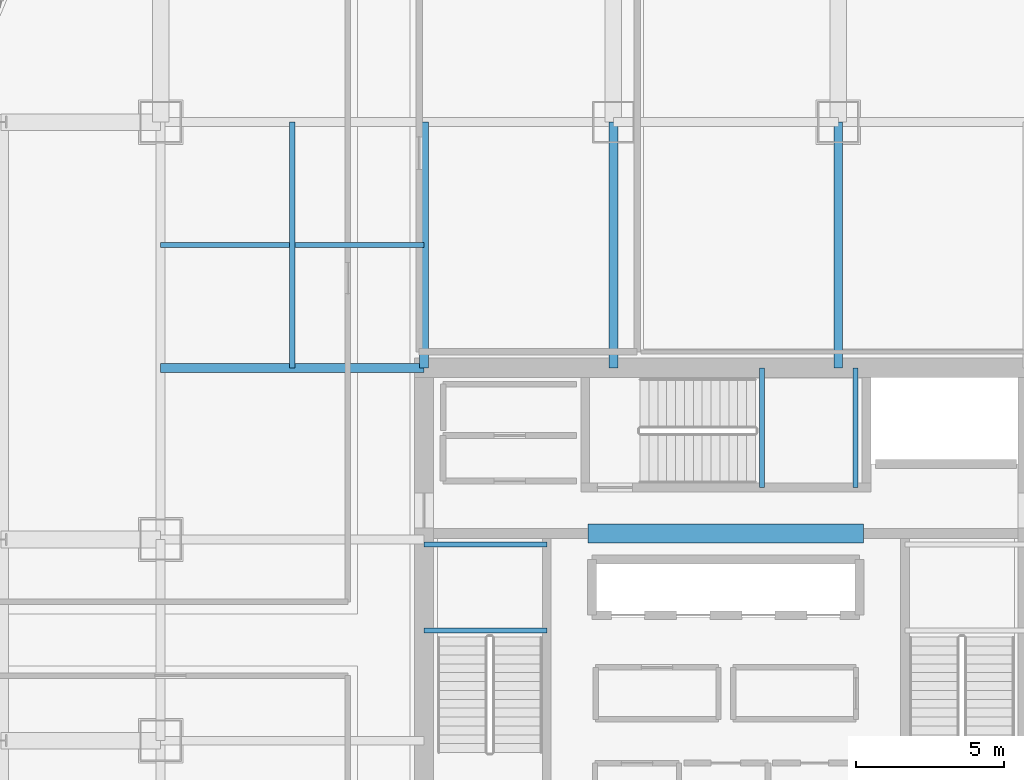
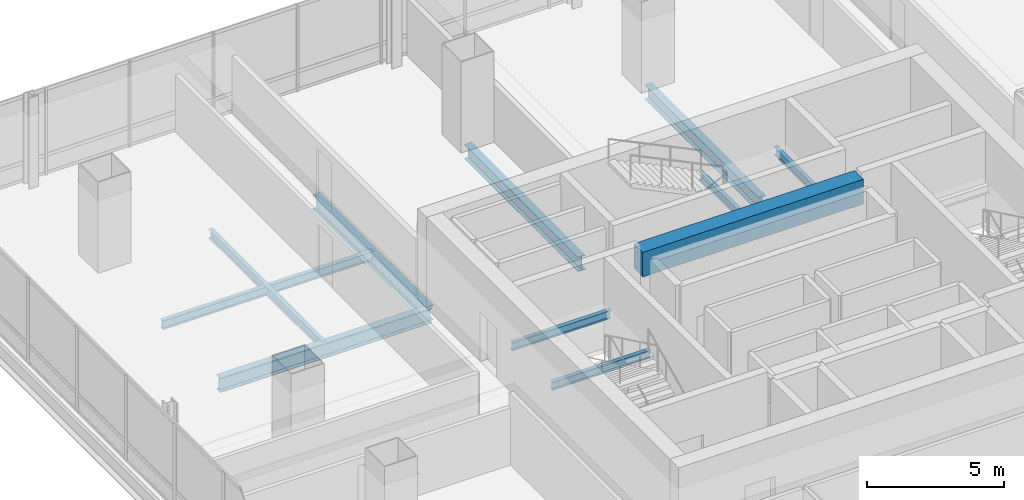
# One storey, part 13 of 37: 11 beams.
"""IFC4 building model written with IfcOpenShell, lengths in metres."""

from ifc_helpers import new_model, si_unit, direction, frame, origin, origin_2d, place, context, subcontext, project, spatial, rectangle, i_section, extrude, material, material_profile, profile_set, type_object, element, save


model = new_model("IFC4")

# Units and contexts
model_context = context("Model", 3, precision=1e-05, world=origin(), true_north=direction((0.0, 1.0)))
body_context = subcontext(model_context, "Body", "Model", "MODEL_VIEW")
ifc_project = project(units=[si_unit("LENGTHUNIT", "METRE"), si_unit("AREAUNIT", "SQUARE_METRE"), si_unit("VOLUMEUNIT", "CUBIC_METRE"), si_unit("PLANEANGLEUNIT", "RADIAN"), si_unit("MASSUNIT", "GRAM", prefix="KILO")], contexts=[model_context])

# Site, building, storey
site_placement = place(None, origin())
site = spatial("IfcSite", under=ifc_project, at=site_placement, CompositionType="ELEMENT")
building_placement = place(site_placement, origin())
building = spatial("IfcBuilding", under=site, at=building_placement, Name="Punatoya Terracotta Tower", CompositionType="ELEMENT")
storey_placement = place(building_placement, frame((0.0, 0.0, 164.10009765625)))
storey = spatial("IfcBuildingStorey", under=building, at=storey_placement, Name="L38", CompositionType="ELEMENT", Elevation=164.10009765625)

# Beams
ifc_material_1 = material(Name="Steel S355", Category="steel")
ifc_material_profile_1 = material_profile(ifc_material_1, i_section(OverallWidth=0.300048828125, OverallDepth=0.64990234375, WebThickness=0.01611328125, FlangeThickness=0.031005859375, FilletRadius=0.01806640625, at=origin_2d()))
ifc_profile_set_1 = profile_set([ifc_material_profile_1], Name="Steel S355")
beam_type_1 = type_object("IfcBeamType", Name="BM-PRI-650", PredefinedType="BEAM", material=ifc_profile_set_1)
beam_1_placement = place(storey_placement, frame((-19.10009765625, 9.199951171875, -0.545166015625), z_axis=(1.0, 0.0, 0.0), x_axis=(0.0, 1.0, 0.0)))
element("IfcBeam", 1, at=beam_1_placement, inside=storey, type_object=beam_type_1, Name="BM-L38-PR-WN", PredefinedType="BEAM", context=body_context, shape_type="SweptSolid", body=[
    extrude(i_section(OverallWidth=0.300048828125, OverallDepth=0.64990234375, WebThickness=0.01611328125, FlangeThickness=0.031005859375, FilletRadius=0.01806640625, at=origin_2d()), origin(), (0.0, 0.0, 1.0), 8.900146484375),
])
for number, where, z_axis, x_axis, name in (
    (2, (-10.199951171875, 9.199951171875, -0.545166015625), (0.0, 1.0, 0.0), (-1.0, 0.0, 0.0), "BM-L38-PR-N1"),
    (3, (-3.800048828125, 9.199951171875, -0.545166015625), (0.0, 1.0, 0.0), (-1.0, 0.0, 0.0), "BM-L38-PR-N2"),
    (4, (3.800048828125, 9.199951171875, -0.545166015625), (0.0, 1.0, 0.0), (-1.0, 0.0, 0.0), "BM-L38-PR-N3"),
):
    element("IfcBeam", number, at=place(storey_placement, frame(where, z_axis=z_axis, x_axis=x_axis)), inside=storey, type_object=beam_type_1, Name=name, PredefinedType="BEAM", context=body_context, shape_type="SweptSolid", body=[
        extrude(i_section(OverallWidth=0.300048828125, OverallDepth=0.64990234375, WebThickness=0.01611328125, FlangeThickness=0.031005859375, FilletRadius=0.01806640625, at=origin_2d()), origin(), (0.0, 0.0, 1.0), 8.300048828125),
    ])
ifc_material_2 = material(Name="Concrete C60/75", Category="concrete")
ifc_material_profile_2 = material_profile(ifc_material_2, rectangle(XDim=0.64990234375, YDim=1.10009765625, at=origin_2d()))
ifc_profile_set_2 = profile_set([ifc_material_profile_2], Name="Concrete C60/75")
beam_type_2 = type_object("IfcBeamType", Name="BM-RC-1100", PredefinedType="LINTEL", material=ifc_profile_set_2)
beam_2_placement = place(storey_placement, frame((-4.64990234375, 3.60009765625, 3.27978515625), z_axis=(1.0, 0.0, 0.0), x_axis=(0.0, 1.0, 0.0)))
element("IfcBeam", 5, at=beam_2_placement, inside=storey, type_object=beam_type_2, Name="L38 Core Coupling Lintel CNW", PredefinedType="LINTEL", context=body_context, shape_type="SweptSolid", body=[
    extrude(rectangle(XDim=0.64990234375, YDim=1.10009765625, at=origin_2d()), origin(), (0.0, 0.0, 1.0), 9.2998046875),
])
ifc_material_profile_3 = material_profile(ifc_material_1, i_section(OverallWidth=0.169921875, OverallDepth=0.360107421875, WebThickness=0.008056640625, FlangeThickness=0.0126953125, FilletRadius=0.01806640625, at=origin_2d()))
ifc_profile_set_3 = profile_set([ifc_material_profile_3], Name="Steel S355")
beam_type_3 = type_object("IfcBeamType", Name="BM-SEC-360", PredefinedType="JOIST", material=ifc_profile_set_3)
for number, where, z_axis, x_axis, name in (
    (6, (-10.199951171875, 0.320068359375, 1.64501953125), (1.0, 0.0, 0.0), (0.0, 1.0, 0.0), "BM-L38-ST-1-LD1A"),
    (7, (-10.199951171875, 3.22998046875, 1.64501953125), (1.0, 0.0, 0.0), (0.0, 1.0, 0.0), "BM-L38-ST-1-LD1B"),
):
    element("IfcBeam", number, at=place(storey_placement, frame(where, z_axis=z_axis, x_axis=x_axis)), inside=storey, type_object=beam_type_3, Name=name, PredefinedType="JOIST", context=body_context, shape_type="SweptSolid", body=[
        extrude(i_section(OverallWidth=0.169921875, OverallDepth=0.360107421875, WebThickness=0.008056640625, FlangeThickness=0.0126953125, FilletRadius=0.01806640625, at=origin_2d()), origin(), (0.0, 0.0, 1.0), 4.14990234375),
    ])
for number, where, z_axis, x_axis, name in (
    (8, (1.219970703125, 5.14990234375, 1.64501953125), (0.0, 1.0, 0.0), (-1.0, 0.0, 0.0), "BM-L38-ST-3-LD1A"),
    (9, (4.3798828125, 5.14990234375, 1.64501953125), (0.0, 1.0, 0.0), (-1.0, 0.0, 0.0), "BM-L38-ST-3-LD1B"),
):
    element("IfcBeam", number, at=place(storey_placement, frame(where, z_axis=z_axis, x_axis=x_axis)), inside=storey, type_object=beam_type_3, Name=name, PredefinedType="JOIST", context=body_context, shape_type="SweptSolid", body=[
        extrude(i_section(OverallWidth=0.169921875, OverallDepth=0.360107421875, WebThickness=0.008056640625, FlangeThickness=0.0126953125, FilletRadius=0.01806640625, at=origin_2d()), origin(), (0.0, 0.0, 1.0), 4.050048828125),
    ])
ifc_material_profile_4 = material_profile(ifc_material_1, i_section(OverallWidth=0.179931640625, OverallDepth=0.39990234375, WebThickness=0.008544921875, FlangeThickness=0.013427734375, FilletRadius=0.01806640625, at=origin_2d()))
ifc_profile_set_4 = profile_set([ifc_material_profile_4], Name="Steel S355")
beam_type_4 = type_object("IfcBeamType", Name="BM-SEC-400", PredefinedType="JOIST", material=ifc_profile_set_4)
beam_3_placement = place(storey_placement, frame((-19.10009765625, 13.35009765625, -0.420166015625), z_axis=(1.0, 0.0, 0.0), x_axis=(0.0, 1.0, 0.0)))
element("IfcBeam", 10, at=beam_3_placement, inside=storey, type_object=beam_type_4, Name="BM-L38-SJN-1", PredefinedType="JOIST", context=body_context, shape_type="SweptSolid", body=[
    extrude(i_section(OverallWidth=0.179931640625, OverallDepth=0.39990234375, WebThickness=0.008544921875, FlangeThickness=0.013427734375, FilletRadius=0.01806640625, at=origin_2d()), origin(), (0.0, 0.0, 1.0), 8.900146484375),
])
beam_4_placement = place(storey_placement, frame((-14.64990234375, 9.199951171875, -0.420166015625), z_axis=(0.0, 1.0, 0.0), x_axis=(-1.0, 0.0, 0.0)))
element("IfcBeam", 11, at=beam_4_placement, inside=storey, type_object=beam_type_4, Name="BM-L38-SJW-2", PredefinedType="JOIST", context=body_context, shape_type="SweptSolid", body=[
    extrude(i_section(OverallWidth=0.179931640625, OverallDepth=0.39990234375, WebThickness=0.008544921875, FlangeThickness=0.013427734375, FilletRadius=0.01806640625, at=origin_2d()), origin(), (0.0, 0.0, 1.0), 8.300048828125),
])

save(model, "model.ifc")
